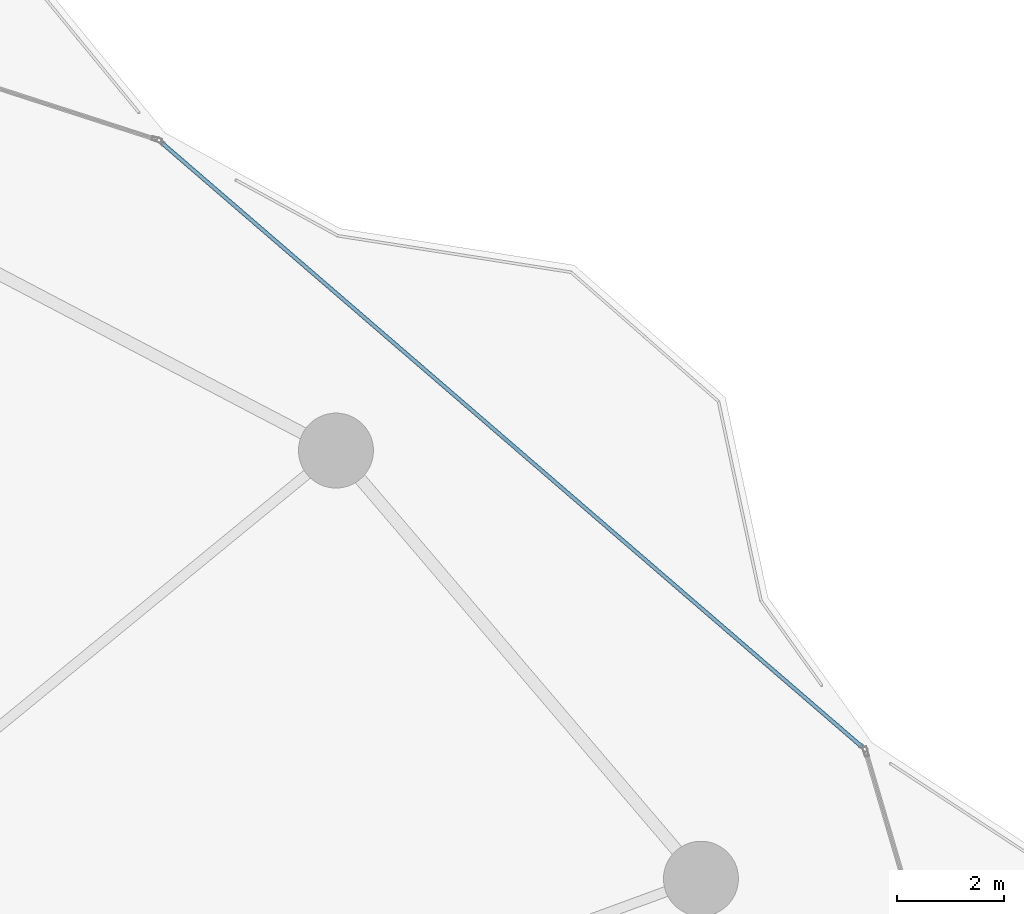
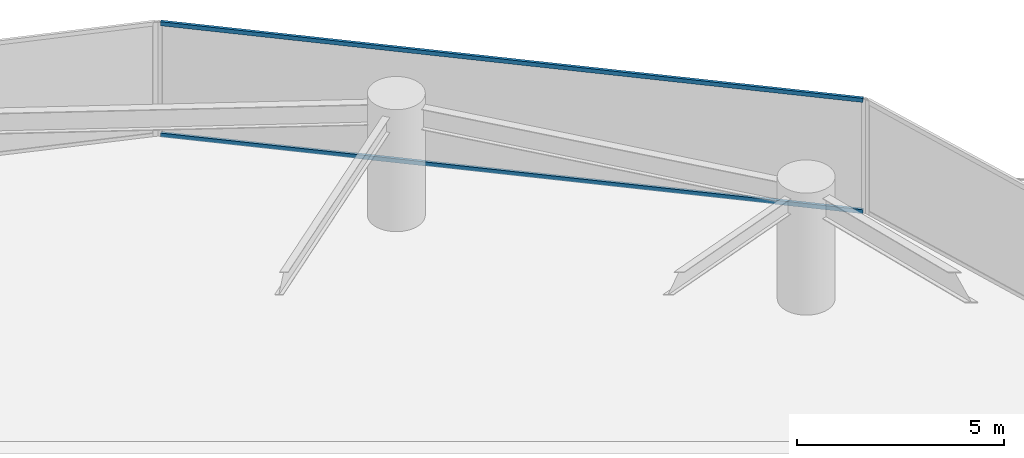
# One storey, part 20 of 33: 2 members, 1 element without a shape of its own.
"""IFC4 building model written with IfcOpenShell, lengths in metres."""

from ifc_helpers import new_model, si_unit, direction, frame, origin, origin_2d, place, context, subcontext, project, spatial, hollow_rectangle, extrude, material, layer, layer_set, material_profile, profile_set, type_object, element, aggregate, save


model = new_model("IFC4")

# Units and contexts
model_context = context("Model", 3, precision=1e-05, world=origin(), true_north=direction((0.0, 1.0)))
body_context = subcontext(model_context, "Body", "Model", "MODEL_VIEW")
ifc_project = project(units=[si_unit("LENGTHUNIT", "METRE"), si_unit("AREAUNIT", "SQUARE_METRE"), si_unit("VOLUMEUNIT", "CUBIC_METRE"), si_unit("PLANEANGLEUNIT", "RADIAN"), si_unit("MASSUNIT", "GRAM", prefix="KILO")], contexts=[model_context])

# Site, building, storey
site_placement = place(None, origin())
site = spatial("IfcSite", under=ifc_project, at=site_placement, CompositionType="ELEMENT")
building_placement = place(site_placement, origin())
building = spatial("IfcBuilding", under=site, at=building_placement, Name="Kazevale Care Tower and Concert Hall", CompositionType="ELEMENT")
storey_placement = place(building_placement, frame((0.0, 0.0, 45.60009765625)))
storey = spatial("IfcBuildingStorey", under=building, at=storey_placement, Name="L11", CompositionType="ELEMENT", Elevation=45.60009765625)

# Curtain wall, members
ifc_material_1 = material(Name="Aluminium 6063-T6 and Low-E Glass", Category="aluminium")
ifc_layer = layer(ifc_material_1, 0.179931640625)
ifc_layer_set = layer_set([ifc_layer], Name="Aluminium 6063-T6 and Low-E Glass")
curtain_wall_type = type_object("IfcCurtainWallType", Name="Convex Recessed Sunroom Curtain Wall CW-3", PredefinedType="NOTDEFINED", material=ifc_layer_set)
curtain_wall_placement = place(storey_placement, origin())
curtain_wall = element("IfcCurtainWall", 1, at=curtain_wall_placement, inside=storey, type_object=curtain_wall_type, Name="cw:L11:f17", PredefinedType="NOTDEFINED")
ifc_material_2 = material(Name="Aluminium 6063-T6", Category="aluminium")
ifc_material_profile = material_profile(ifc_material_2, hollow_rectangle(XDim=0.074951171875, YDim=0.1201171875, WallThickness=0.00390625, at=origin_2d()), Name="ALU75x120x4")
ifc_profile_set = profile_set([ifc_material_profile], Name="Aluminium 6063-T6")
member_type = type_object("IfcMemberType", Name="CW-3 Transom ALU75x120x4", PredefinedType="USERDEFINED", material=ifc_profile_set)
member_1_placement = place(storey_placement, frame((63.98681640625, 61.178955078125, 0.037353515625), z_axis=(0.757205368894, -0.653176874451, 0.0), x_axis=(0.653176874451, 0.757205368894, 0.0)))
member_1 = element("IfcMember", 2, at=member_1_placement, type_object=member_type, Name="CW-3 transom 1.1", ObjectType="TRANSOM", PredefinedType="USERDEFINED", context=body_context, shape_type="SweptSolid", body=[
    extrude(hollow_rectangle(XDim=0.074951171875, YDim=0.1201171875, WallThickness=0.00390625, at=origin_2d()), origin(), (0.0, 0.0, 1.0), 17.280029296875),
])
member_2_placement = place(storey_placement, frame((63.98681640625, 61.178955078125, 3.322509765625), z_axis=(0.757205368894, -0.653176874451, 0.0), x_axis=(0.653176874451, 0.757205368894, 0.0)))
member_2 = element("IfcMember", 3, at=member_2_placement, type_object=member_type, Name="CW-3 transom 1.2", ObjectType="TRANSOM", PredefinedType="USERDEFINED", context=body_context, shape_type="SweptSolid", body=[
    extrude(hollow_rectangle(XDim=0.074951171875, YDim=0.1201171875, WallThickness=0.00390625, at=origin_2d()), origin(), (0.0, 0.0, 1.0), 17.280029296875),
])
aggregate(curtain_wall, [member_1, member_2])

save(model, "model.ifc")
